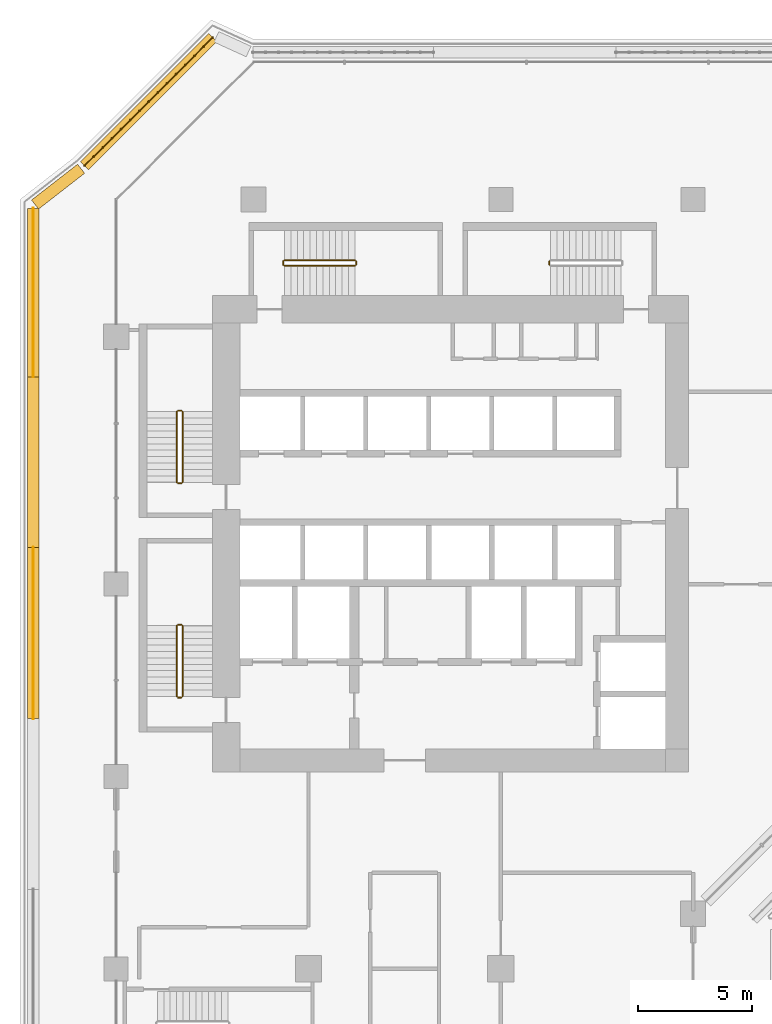
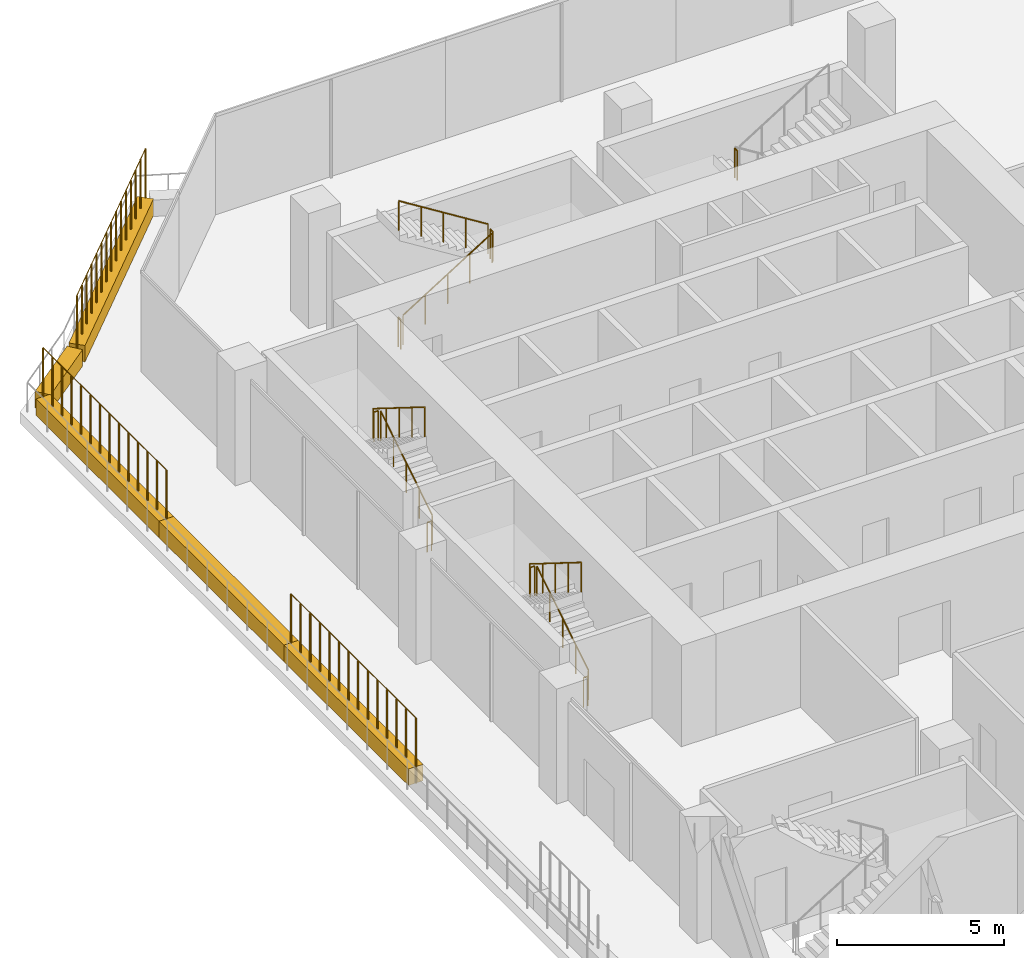
# One storey, part 20 of 23: 16 railings, 5 coverings.
"""IFC4 building model written with IfcOpenShell, lengths in metres."""

from ifc_helpers import new_model, si_unit, direction, frame, origin, origin_2d, place, context, subcontext, project, spatial, rectangle, circle, extrude, material, material_profile, profile_set, type_object, element, save


model = new_model("IFC4")

# Units and contexts
model_context = context("Model", 3, precision=1e-05, world=origin(), true_north=direction((0.0, 1.0)))
body_context = subcontext(model_context, "Body", "Model", "MODEL_VIEW")
ifc_project = project(units=[si_unit("LENGTHUNIT", "METRE"), si_unit("AREAUNIT", "SQUARE_METRE"), si_unit("VOLUMEUNIT", "CUBIC_METRE"), si_unit("PLANEANGLEUNIT", "RADIAN"), si_unit("MASSUNIT", "GRAM", prefix="KILO")], contexts=[model_context])

# Site, building, storey
site_placement = place(None, origin())
site = spatial("IfcSite", under=ifc_project, at=site_placement, CompositionType="ELEMENT")
building_placement = place(site_placement, origin())
building = spatial("IfcBuilding", under=site, at=building_placement, Name="Kawkab Arch Medical Tower", CompositionType="ELEMENT")
storey_placement = place(building_placement, frame((0.0, 0.0, 149.199951171875)))
storey = spatial("IfcBuildingStorey", under=building, at=storey_placement, Name="L34", CompositionType="ELEMENT", Elevation=149.199951171875)

# Coverings
ifc_material_1 = material(Name="Planting soil in a precast trough", Category="concrete")
ifc_material_profile = material_profile(ifc_material_1, rectangle(XDim=0.5, YDim=0.60009765625, at=origin_2d()), Name="Trough 500x600")
ifc_profile_set = profile_set([ifc_material_profile], Name="Planting soil in a precast trough")
covering_type = type_object("IfcCoveringType", Name="Planter trough 500 x 600", PredefinedType="USERDEFINED", material=ifc_profile_set)
for number, where, z_axis, x_axis, name in (
    (1, (-3.6201171875, -22.6689453125, 0.300048828125), (0.0, 1.0, 0.0), (-1.0, 0.0, 0.0), "Planter L34.LOG-01-01.11"),
    (2, (-3.6201171875, -15.20703125, 0.300048828125), (0.0, 1.0, 0.0), (-1.0, 0.0, 0.0), "Planter L34.LOG-01-01.12"),
):
    element("IfcCovering", number, at=place(storey_placement, frame(where, z_axis=z_axis, x_axis=x_axis)), inside=storey, type_object=covering_type, Name=name, ObjectType="PLANTER", PredefinedType="USERDEFINED", context=body_context, shape_type="SweptSolid", body=[
        extrude(rectangle(XDim=0.5, YDim=0.60009765625, at=origin_2d()), origin(), (0.0, 0.0, 1.0), 7.4619140625),
    ])
covering_1_placement = place(storey_placement, frame((-3.6201171875, -7.7451171875, 0.300048828125), z_axis=(0.0, 1.0, 0.0), x_axis=(-1.0, 0.0, 0.0)))
element("IfcCovering", 3, at=covering_1_placement, inside=storey, type_object=covering_type, Name="Planter L34.LOG-01-01.13", ObjectType="PLANTER", PredefinedType="USERDEFINED", context=body_context, shape_type="SweptSolid", body=[
    extrude(rectangle(XDim=0.5, YDim=0.60009765625, at=origin_2d()), origin(), (0.0, 0.0, 1.0), 7.361083984375),
])
covering_2_placement = place(storey_placement, frame((-3.541015625, -0.221923828125, 0.300048828125), z_axis=(0.789274742246, 0.61404021143, 0.0), x_axis=(-0.61404021143, 0.789274742246, 0.0)))
element("IfcCovering", 4, at=covering_2_placement, inside=storey, type_object=covering_type, Name="Planter L34.LOG-01-01.14", ObjectType="PLANTER", PredefinedType="USERDEFINED", context=body_context, shape_type="SweptSolid", body=[
    extrude(rectangle(XDim=0.5, YDim=0.60009765625, at=origin_2d()), origin(), (0.0, 0.0, 1.0), 2.54541015625),
])
covering_3_placement = place(storey_placement, frame((-1.383056640625, 1.472900390625, 0.300048828125), z_axis=(0.707106781187, 0.707106781187, 0.0), x_axis=(-0.707106781187, 0.707106781187, 0.0)))
element("IfcCovering", 5, at=covering_3_placement, inside=storey, type_object=covering_type, Name="Planter L34.LOG-01-01.15", ObjectType="PLANTER", PredefinedType="USERDEFINED", context=body_context, shape_type="SweptSolid", body=[
    extrude(rectangle(XDim=0.5, YDim=0.60009765625, at=origin_2d()), origin(), (0.0, 0.0, 1.0), 7.919677734375),
])

# Railings
ifc_material_2 = material(Name="Bronze anodised aluminium trellis for climbing plants", Category="aluminium")
railing_type_1 = type_object("IfcRailingType", Name="Planting trellis 2400", PredefinedType="USERDEFINED", material=ifc_material_2)
railing_1_placement = place(storey_placement, frame((-3.6201171875, -22.6689453125, 0.0)))
element("IfcRailing", 6, at=railing_1_placement, inside=storey, type_object=railing_type_1, Name="Planting trellis L34.LOG-01-01.11", ObjectType="TRELLIS", PredefinedType="USERDEFINED", context=body_context, shape_type="SweptSolid", body=[
    extrude(circle(Radius=0.01513671875, at=origin_2d()), frame((0.0, 0.0, 2.384765625), z_axis=(0.0, 1.0, 0.0), x_axis=(-1.0, 0.0, 0.0)), (0.0, 0.0, 1.0), 7.4619140625),
    extrude(circle(Radius=0.030029296875, at=origin_2d()), origin(), (0.0, 0.0, 1.0), 2.369873046875),
    extrude(circle(Radius=0.030029296875, at=origin_2d()), frame((0.0, 0.573974609375, 0.0)), (0.0, 0.0, 1.0), 2.369873046875),
    extrude(circle(Radius=0.030029296875, at=origin_2d()), frame((0.0, 1.14794921875, 0.0)), (0.0, 0.0, 1.0), 2.369873046875),
    extrude(circle(Radius=0.030029296875, at=origin_2d()), frame((0.0, 1.721923828125, 0.0)), (0.0, 0.0, 1.0), 2.369873046875),
    extrude(circle(Radius=0.030029296875, at=origin_2d()), frame((0.0, 2.2958984375, 0.0)), (0.0, 0.0, 1.0), 2.369873046875),
    extrude(circle(Radius=0.030029296875, at=origin_2d()), frame((0.0, 2.869873046875, 0.0)), (0.0, 0.0, 1.0), 2.369873046875),
    extrude(circle(Radius=0.030029296875, at=origin_2d()), frame((0.0, 3.44384765625, 0.0)), (0.0, 0.0, 1.0), 2.369873046875),
    extrude(circle(Radius=0.030029296875, at=origin_2d()), frame((0.0, 4.01806640625, 0.0)), (0.0, 0.0, 1.0), 2.369873046875),
    extrude(circle(Radius=0.030029296875, at=origin_2d()), frame((0.0, 4.592041015625, 0.0)), (0.0, 0.0, 1.0), 2.369873046875),
    extrude(circle(Radius=0.030029296875, at=origin_2d()), frame((0.0, 5.166015625, 0.0)), (0.0, 0.0, 1.0), 2.369873046875),
    extrude(circle(Radius=0.030029296875, at=origin_2d()), frame((0.0, 5.739990234375, 0.0)), (0.0, 0.0, 1.0), 2.369873046875),
    extrude(circle(Radius=0.030029296875, at=origin_2d()), frame((0.0, 6.31396484375, 0.0)), (0.0, 0.0, 1.0), 2.369873046875),
    extrude(circle(Radius=0.030029296875, at=origin_2d()), frame((0.0, 6.887939453125, 0.0)), (0.0, 0.0, 1.0), 2.369873046875),
    extrude(circle(Radius=0.030029296875, at=origin_2d()), frame((0.0, 7.4619140625, 0.0)), (0.0, 0.0, 1.0), 2.369873046875),
])
railing_2_placement = place(storey_placement, frame((-3.6201171875, -7.7451171875, 0.0)))
element("IfcRailing", 7, at=railing_2_placement, inside=storey, type_object=railing_type_1, Name="Planting trellis L34.LOG-01-01.13", ObjectType="TRELLIS", PredefinedType="USERDEFINED", context=body_context, shape_type="SweptSolid", body=[
    extrude(circle(Radius=0.01513671875, at=origin_2d()), frame((0.0, 0.0, 2.384765625), z_axis=(0.0, 1.0, 0.0), x_axis=(-1.0, 0.0, 0.0)), (0.0, 0.0, 1.0), 7.361083984375),
    extrude(circle(Radius=0.030029296875, at=origin_2d()), origin(), (0.0, 0.0, 1.0), 2.369873046875),
    extrude(circle(Radius=0.030029296875, at=origin_2d()), frame((0.0, 0.566162109375, 0.0)), (0.0, 0.0, 1.0), 2.369873046875),
    extrude(circle(Radius=0.030029296875, at=origin_2d()), frame((0.0, 1.132568359375, 0.0)), (0.0, 0.0, 1.0), 2.369873046875),
    extrude(circle(Radius=0.030029296875, at=origin_2d()), frame((0.0, 1.69873046875, 0.0)), (0.0, 0.0, 1.0), 2.369873046875),
    extrude(circle(Radius=0.030029296875, at=origin_2d()), frame((0.0, 2.264892578125, 0.0)), (0.0, 0.0, 1.0), 2.369873046875),
    extrude(circle(Radius=0.030029296875, at=origin_2d()), frame((0.0, 2.831298828125, 0.0)), (0.0, 0.0, 1.0), 2.369873046875),
    extrude(circle(Radius=0.030029296875, at=origin_2d()), frame((0.0, 3.3974609375, 0.0)), (0.0, 0.0, 1.0), 2.369873046875),
    extrude(circle(Radius=0.030029296875, at=origin_2d()), frame((0.0, 3.963623046875, 0.0)), (0.0, 0.0, 1.0), 2.369873046875),
    extrude(circle(Radius=0.030029296875, at=origin_2d()), frame((0.0, 4.52978515625, 0.0)), (0.0, 0.0, 1.0), 2.369873046875),
    extrude(circle(Radius=0.030029296875, at=origin_2d()), frame((0.0, 5.09619140625, 0.0)), (0.0, 0.0, 1.0), 2.369873046875),
    extrude(circle(Radius=0.030029296875, at=origin_2d()), frame((0.0, 5.662353515625, 0.0)), (0.0, 0.0, 1.0), 2.369873046875),
    extrude(circle(Radius=0.030029296875, at=origin_2d()), frame((0.0, 6.228515625, 0.0)), (0.0, 0.0, 1.0), 2.369873046875),
    extrude(circle(Radius=0.030029296875, at=origin_2d()), frame((0.0, 6.794921875, 0.0)), (0.0, 0.0, 1.0), 2.369873046875),
    extrude(circle(Radius=0.030029296875, at=origin_2d()), frame((0.0, 7.361083984375, 0.0)), (0.0, 0.0, 1.0), 2.369873046875),
])
railing_3_placement = place(storey_placement, frame((-1.383056640625, 1.472900390625, 0.0)))
element("IfcRailing", 8, at=railing_3_placement, inside=storey, type_object=railing_type_1, Name="Planting trellis L34.LOG-01-01.15", ObjectType="TRELLIS", PredefinedType="USERDEFINED", context=body_context, shape_type="SweptSolid", body=[
    extrude(circle(Radius=0.01513671875, at=origin_2d()), frame((0.0, 0.0, 2.384765625), z_axis=(0.707106781187, 0.707106781187, 0.0), x_axis=(-0.707106781187, 0.707106781187, 0.0)), (0.0, 0.0, 1.0), 7.919677734375),
    extrude(circle(Radius=0.030029296875, at=origin_2d()), origin(), (0.0, 0.0, 1.0), 2.369873046875),
    extrude(circle(Radius=0.030029296875, at=origin_2d()), frame((0.39990234375, 0.39990234375, 0.0)), (0.0, 0.0, 1.0), 2.369873046875),
    extrude(circle(Radius=0.030029296875, at=origin_2d()), frame((0.800048828125, 0.800048828125, 0.0)), (0.0, 0.0, 1.0), 2.369873046875),
    extrude(circle(Radius=0.030029296875, at=origin_2d()), frame((1.199951171875, 1.199951171875, 0.0)), (0.0, 0.0, 1.0), 2.369873046875),
    extrude(circle(Radius=0.030029296875, at=origin_2d()), frame((1.60009765625, 1.60009765625, 0.0)), (0.0, 0.0, 1.0), 2.369873046875),
    extrude(circle(Radius=0.030029296875, at=origin_2d()), frame((2.0, 2.0, 0.0)), (0.0, 0.0, 1.0), 2.369873046875),
    extrude(circle(Radius=0.030029296875, at=origin_2d()), frame((2.400146484375, 2.400146484375, 0.0)), (0.0, 0.0, 1.0), 2.369873046875),
    extrude(circle(Radius=0.030029296875, at=origin_2d()), frame((2.800048828125, 2.800048828125, 0.0)), (0.0, 0.0, 1.0), 2.369873046875),
    extrude(circle(Radius=0.030029296875, at=origin_2d()), frame((3.199951171875, 3.199951171875, 0.0)), (0.0, 0.0, 1.0), 2.369873046875),
    extrude(circle(Radius=0.030029296875, at=origin_2d()), frame((3.60009765625, 3.60009765625, 0.0)), (0.0, 0.0, 1.0), 2.369873046875),
    extrude(circle(Radius=0.030029296875, at=origin_2d()), frame((4.0, 4.0, 0.0)), (0.0, 0.0, 1.0), 2.369873046875),
    extrude(circle(Radius=0.030029296875, at=origin_2d()), frame((4.400146484375, 4.400146484375, 0.0)), (0.0, 0.0, 1.0), 2.369873046875),
    extrude(circle(Radius=0.030029296875, at=origin_2d()), frame((4.800048828125, 4.800048828125, 0.0)), (0.0, 0.0, 1.0), 2.369873046875),
    extrude(circle(Radius=0.030029296875, at=origin_2d()), frame((5.2001953125, 5.2001953125, 0.0)), (0.0, 0.0, 1.0), 2.369873046875),
    extrude(circle(Radius=0.030029296875, at=origin_2d()), frame((5.60009765625, 5.60009765625, 0.0)), (0.0, 0.0, 1.0), 2.369873046875),
])
ifc_material_3 = material(Name="Stainless steel", Category="steel")
railing_type_2 = type_object("IfcRailingType", Name="Stair guard 1100", PredefinedType="GUARDRAIL", material=ifc_material_3)
railing_4_placement = place(storey_placement, frame((2.89990234375, -12.35009765625, 0.175048828125)))
element("IfcRailing", 9, at=railing_4_placement, inside=storey, type_object=railing_type_2, Name="L34 ST1 stair guard 1", PredefinedType="GUARDRAIL", context=body_context, shape_type="SweptSolid", body=[
    extrude(circle(Radius=0.02392578125, at=origin_2d()), frame((0.0, 0.0, 1.076171875), z_axis=(0.0, 0.847998304005, 0.529998940003), x_axis=(-1.0, 0.0, 0.0)), (0.0, 0.0, 1.0), 3.632080078125),
    extrude(circle(Radius=0.02099609375, at=origin_2d()), origin(), (0.0, 0.0, 1.0), 1.052001953125),
    extrude(circle(Radius=0.02099609375, at=origin_2d()), frame((0.0, 0.77001953125, 0.481201171875)), (0.0, 0.0, 1.0), 1.052001953125),
    extrude(circle(Radius=0.02099609375, at=origin_2d()), frame((0.0, 1.5400390625, 0.96240234375)), (0.0, 0.0, 1.0), 1.052001953125),
    extrude(circle(Radius=0.02099609375, at=origin_2d()), frame((0.0, 2.31005859375, 1.44384765625)), (0.0, 0.0, 1.0), 1.052001953125),
    extrude(circle(Radius=0.02099609375, at=origin_2d()), frame((0.0, 3.080078125, 1.925048828125)), (0.0, 0.0, 1.0), 1.052001953125),
])
railing_5_placement = place(storey_placement, frame((2.85009765625, -9.219970703125, 2.10009765625)))
element("IfcRailing", 10, at=railing_5_placement, inside=storey, type_object=railing_type_2, Name="L34 ST1 stair guard 2", PredefinedType="GUARDRAIL", context=body_context, shape_type="SweptSolid", body=[
    extrude(circle(Radius=0.02392578125, at=origin_2d()), frame((0.0, 0.0, 1.076171875), z_axis=(-1.0, 0.0, 0.0), x_axis=(0.0, -1.0, 0.0)), (0.0, 0.0, 1.0), 0.150146484375),
    extrude(circle(Radius=0.02099609375, at=origin_2d()), origin(), (0.0, 0.0, 1.0), 1.052001953125),
    extrude(circle(Radius=0.02099609375, at=origin_2d()), frame((-0.150146484375, 0.0, 0.0)), (0.0, 0.0, 1.0), 1.052001953125),
])
railing_6_placement = place(storey_placement, frame((2.64990234375, -9.27001953125, 2.275146484375)))
element("IfcRailing", 11, at=railing_6_placement, inside=storey, type_object=railing_type_2, Name="L34 ST1 stair guard 3", PredefinedType="GUARDRAIL", context=body_context, shape_type="SweptSolid", body=[
    extrude(circle(Radius=0.02392578125, at=origin_2d()), frame((0.0, 0.0, 1.076171875), z_axis=(0.0, -0.848028513186, 0.529950602248), x_axis=(1.0, 0.0, 0.0)), (0.0, 0.0, 1.0), 3.632080078125),
    extrude(circle(Radius=0.02099609375, at=origin_2d()), origin(), (0.0, 0.0, 1.0), 1.052001953125),
    extrude(circle(Radius=0.02099609375, at=origin_2d()), frame((0.0, -0.77001953125, 0.481201171875)), (0.0, 0.0, 1.0), 1.052001953125),
    extrude(circle(Radius=0.02099609375, at=origin_2d()), frame((0.0, -1.5400390625, 0.96240234375)), (0.0, 0.0, 1.0), 1.052001953125),
    extrude(circle(Radius=0.02099609375, at=origin_2d()), frame((0.0, -2.31005859375, 1.443603515625)), (0.0, 0.0, 1.0), 1.052001953125),
    extrude(circle(Radius=0.02099609375, at=origin_2d()), frame((0.0, -3.080078125, 1.9248046875)), (0.0, 0.0, 1.0), 1.052001953125),
])
railing_7_placement = place(storey_placement, frame((2.85009765625, -12.39990234375, 0.0)))
element("IfcRailing", 12, at=railing_7_placement, inside=storey, type_object=railing_type_2, Name="L34 ST1 stair guard 4", PredefinedType="GUARDRAIL", context=body_context, shape_type="SweptSolid", body=[
    extrude(circle(Radius=0.02392578125, at=origin_2d()), frame((0.0, 0.0, 1.076171875), z_axis=(-1.0, 0.0, 0.0), x_axis=(0.0, -1.0, 0.0)), (0.0, 0.0, 1.0), 0.150146484375),
    extrude(circle(Radius=0.02099609375, at=origin_2d()), origin(), (0.0, 0.0, 1.0), 1.052001953125),
    extrude(circle(Radius=0.02099609375, at=origin_2d()), frame((-0.150146484375, 0.0, 0.0)), (0.0, 0.0, 1.0), 1.052001953125),
])
railing_8_placement = place(storey_placement, frame((2.89990234375, -21.699951171875, 0.175048828125)))
element("IfcRailing", 13, at=railing_8_placement, inside=storey, type_object=railing_type_2, Name="L34 ST2 stair guard 1", PredefinedType="GUARDRAIL", context=body_context, shape_type="SweptSolid", body=[
    extrude(circle(Radius=0.02392578125, at=origin_2d()), frame((0.0, 0.0, 1.076171875), z_axis=(0.0, 0.847979421464, 0.530029150871), x_axis=(-1.0, 0.0, 0.0)), (0.0, 0.0, 1.0), 3.632080078125),
    extrude(circle(Radius=0.02099609375, at=origin_2d()), origin(), (0.0, 0.0, 1.0), 1.052001953125),
    extrude(circle(Radius=0.02099609375, at=origin_2d()), frame((0.0, 0.77001953125, 0.481201171875)), (0.0, 0.0, 1.0), 1.052001953125),
    extrude(circle(Radius=0.02099609375, at=origin_2d()), frame((0.0, 1.5400390625, 0.96240234375)), (0.0, 0.0, 1.0), 1.052001953125),
    extrude(circle(Radius=0.02099609375, at=origin_2d()), frame((0.0, 2.309814453125, 1.44384765625)), (0.0, 0.0, 1.0), 1.052001953125),
    extrude(circle(Radius=0.02099609375, at=origin_2d()), frame((0.0, 3.079833984375, 1.925048828125)), (0.0, 0.0, 1.0), 1.052001953125),
])
railing_9_placement = place(storey_placement, frame((2.85009765625, -18.570068359375, 2.10009765625)))
element("IfcRailing", 14, at=railing_9_placement, inside=storey, type_object=railing_type_2, Name="L34 ST2 stair guard 2", PredefinedType="GUARDRAIL", context=body_context, shape_type="SweptSolid", body=[
    extrude(circle(Radius=0.02392578125, at=origin_2d()), frame((0.0, 0.0, 1.076171875), z_axis=(-1.0, 0.0, 0.0), x_axis=(0.0, -1.0, 0.0)), (0.0, 0.0, 1.0), 0.150146484375),
    extrude(circle(Radius=0.02099609375, at=origin_2d()), origin(), (0.0, 0.0, 1.0), 1.052001953125),
    extrude(circle(Radius=0.02099609375, at=origin_2d()), frame((-0.150146484375, 0.0, 0.0)), (0.0, 0.0, 1.0), 1.052001953125),
])
railing_10_placement = place(storey_placement, frame((2.64990234375, -18.6201171875, 2.275146484375)))
element("IfcRailing", 15, at=railing_10_placement, inside=storey, type_object=railing_type_2, Name="L34 ST2 stair guard 3", PredefinedType="GUARDRAIL", context=body_context, shape_type="SweptSolid", body=[
    extrude(circle(Radius=0.02392578125, at=origin_2d()), frame((0.0, 0.0, 1.076171875), z_axis=(0.0, -0.848009633417, 0.529980812513), x_axis=(1.0, 0.0, 0.0)), (0.0, 0.0, 1.0), 3.6318359375),
    extrude(circle(Radius=0.02099609375, at=origin_2d()), origin(), (0.0, 0.0, 1.0), 1.052001953125),
    extrude(circle(Radius=0.02099609375, at=origin_2d()), frame((0.0, -0.77001953125, 0.481201171875)), (0.0, 0.0, 1.0), 1.052001953125),
    extrude(circle(Radius=0.02099609375, at=origin_2d()), frame((0.0, -1.5400390625, 0.96240234375)), (0.0, 0.0, 1.0), 1.052001953125),
    extrude(circle(Radius=0.02099609375, at=origin_2d()), frame((0.0, -2.309814453125, 1.443603515625)), (0.0, 0.0, 1.0), 1.052001953125),
    extrude(circle(Radius=0.02099609375, at=origin_2d()), frame((0.0, -3.079833984375, 1.9248046875)), (0.0, 0.0, 1.0), 1.052001953125),
])
railing_11_placement = place(storey_placement, frame((2.85009765625, -21.75, 0.0)))
element("IfcRailing", 16, at=railing_11_placement, inside=storey, type_object=railing_type_2, Name="L34 ST2 stair guard 4", PredefinedType="GUARDRAIL", context=body_context, shape_type="SweptSolid", body=[
    extrude(circle(Radius=0.02392578125, at=origin_2d()), frame((0.0, 0.0, 1.076171875), z_axis=(-1.0, 0.0, 0.0), x_axis=(0.0, -1.0, 0.0)), (0.0, 0.0, 1.0), 0.150146484375),
    extrude(circle(Radius=0.02099609375, at=origin_2d()), origin(), (0.0, 0.0, 1.0), 1.052001953125),
    extrude(circle(Radius=0.02099609375, at=origin_2d()), frame((-0.150146484375, 0.0, 0.0)), (0.0, 0.0, 1.0), 1.052001953125),
])
railing_12_placement = place(storey_placement, frame((7.35009765625, -2.89990234375, 0.175048828125)))
element("IfcRailing", 17, at=railing_12_placement, inside=storey, type_object=railing_type_2, Name="L34 ST3 stair guard 1", PredefinedType="GUARDRAIL", context=body_context, shape_type="SweptSolid", body=[
    extrude(circle(Radius=0.02392578125, at=origin_2d()), frame((0.0, 0.0, 1.076171875), z_axis=(0.847979421464, 0.0, 0.530029150871), x_axis=(0.0, 1.0, 0.0)), (0.0, 0.0, 1.0), 3.632080078125),
    extrude(circle(Radius=0.02099609375, at=origin_2d()), origin(), (0.0, 0.0, 1.0), 1.052001953125),
    extrude(circle(Radius=0.02099609375, at=origin_2d()), frame((0.77001953125, 0.0, 0.481201171875)), (0.0, 0.0, 1.0), 1.052001953125),
    extrude(circle(Radius=0.02099609375, at=origin_2d()), frame((1.5400390625, 0.0, 0.96240234375)), (0.0, 0.0, 1.0), 1.052001953125),
    extrude(circle(Radius=0.02099609375, at=origin_2d()), frame((2.309814453125, 0.0, 1.44384765625)), (0.0, 0.0, 1.0), 1.052001953125),
    extrude(circle(Radius=0.02099609375, at=origin_2d()), frame((3.079833984375, 0.0, 1.925048828125)), (0.0, 0.0, 1.0), 1.052001953125),
])
railing_13_placement = place(storey_placement, frame((10.47998046875, -2.85009765625, 2.10009765625)))
element("IfcRailing", 18, at=railing_13_placement, inside=storey, type_object=railing_type_2, Name="L34 ST3 stair guard 2", PredefinedType="GUARDRAIL", context=body_context, shape_type="SweptSolid", body=[
    extrude(circle(Radius=0.02392578125, at=origin_2d()), frame((0.0, 0.0, 1.076171875), z_axis=(0.0, 1.0, 0.0), x_axis=(-1.0, 0.0, 0.0)), (0.0, 0.0, 1.0), 0.150146484375),
    extrude(circle(Radius=0.02099609375, at=origin_2d()), origin(), (0.0, 0.0, 1.0), 1.052001953125),
    extrude(circle(Radius=0.02099609375, at=origin_2d()), frame((0.0, 0.150146484375, 0.0)), (0.0, 0.0, 1.0), 1.052001953125),
])
railing_14_placement = place(storey_placement, frame((10.429931640625, -2.64990234375, 2.275146484375)))
element("IfcRailing", 19, at=railing_14_placement, inside=storey, type_object=railing_type_2, Name="L34 ST3 stair guard 3", PredefinedType="GUARDRAIL", context=body_context, shape_type="SweptSolid", body=[
    extrude(circle(Radius=0.02392578125, at=origin_2d()), frame((0.0, 0.0, 1.076171875), z_axis=(-0.848009633417, 0.0, 0.529980812513), x_axis=(0.0, -1.0, 0.0)), (0.0, 0.0, 1.0), 3.6318359375),
    extrude(circle(Radius=0.02099609375, at=origin_2d()), origin(), (0.0, 0.0, 1.0), 1.052001953125),
    extrude(circle(Radius=0.02099609375, at=origin_2d()), frame((-0.77001953125, 0.0, 0.481201171875)), (0.0, 0.0, 1.0), 1.052001953125),
    extrude(circle(Radius=0.02099609375, at=origin_2d()), frame((-1.5400390625, 0.0, 0.96240234375)), (0.0, 0.0, 1.0), 1.052001953125),
    extrude(circle(Radius=0.02099609375, at=origin_2d()), frame((-2.309814453125, 0.0, 1.443603515625)), (0.0, 0.0, 1.0), 1.052001953125),
    extrude(circle(Radius=0.02099609375, at=origin_2d()), frame((-3.079833984375, 0.0, 1.9248046875)), (0.0, 0.0, 1.0), 1.052001953125),
])
railing_15_placement = place(storey_placement, frame((7.300048828125, -2.85009765625, 0.0)))
element("IfcRailing", 20, at=railing_15_placement, inside=storey, type_object=railing_type_2, Name="L34 ST3 stair guard 4", PredefinedType="GUARDRAIL", context=body_context, shape_type="SweptSolid", body=[
    extrude(circle(Radius=0.02392578125, at=origin_2d()), frame((0.0, 0.0, 1.076171875), z_axis=(0.0, 1.0, 0.0), x_axis=(-1.0, 0.0, 0.0)), (0.0, 0.0, 1.0), 0.150146484375),
    extrude(circle(Radius=0.02099609375, at=origin_2d()), origin(), (0.0, 0.0, 1.0), 1.052001953125),
    extrude(circle(Radius=0.02099609375, at=origin_2d()), frame((0.0, 0.150146484375, 0.0)), (0.0, 0.0, 1.0), 1.052001953125),
])
railing_16_placement = place(storey_placement, frame((18.919921875, -2.699951171875, 2.10009765625)))
element("IfcRailing", 21, at=railing_16_placement, inside=storey, type_object=railing_type_2, Name="L34 ST4 stair guard 2", PredefinedType="GUARDRAIL", context=body_context, shape_type="SweptSolid", body=[
    extrude(circle(Radius=0.02392578125, at=origin_2d()), frame((0.0, 0.0, 1.076171875), z_axis=(0.0, -1.0, 0.0), x_axis=(1.0, 0.0, 0.0)), (0.0, 0.0, 1.0), 0.150146484375),
    extrude(circle(Radius=0.02099609375, at=origin_2d()), origin(), (0.0, 0.0, 1.0), 1.052001953125),
    extrude(circle(Radius=0.02099609375, at=origin_2d()), frame((0.0, -0.150146484375, 0.0)), (0.0, 0.0, 1.0), 1.052001953125),
])

save(model, "model.ifc")
